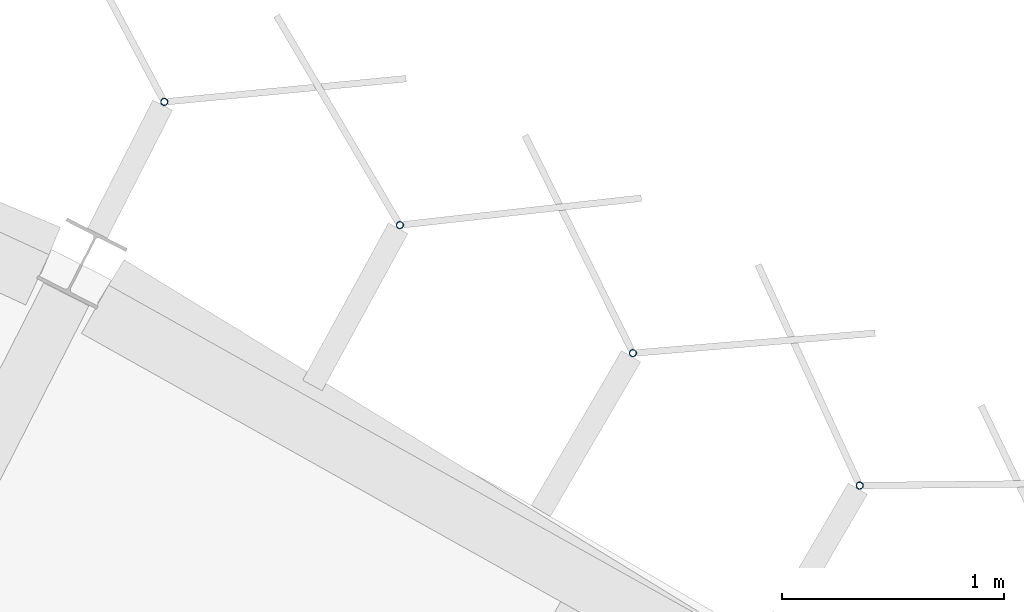
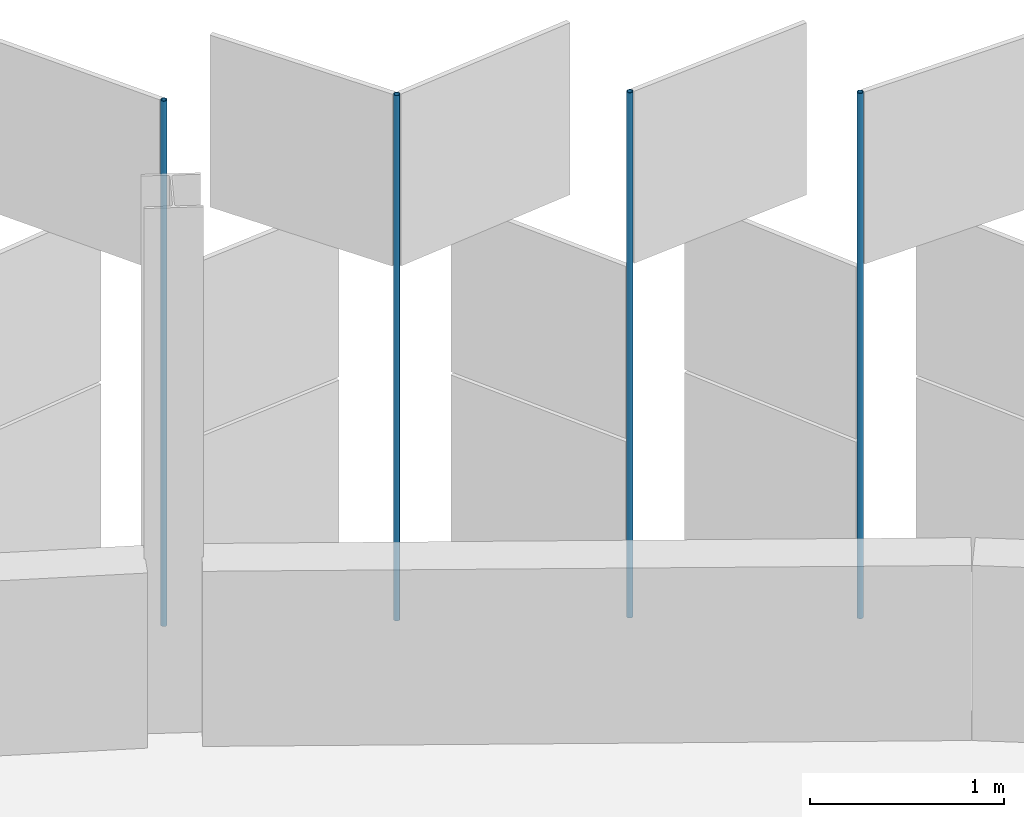
# One storey, part 160 of 198: 4 discrete accessories.
"""IFC4 building model written with IfcOpenShell, lengths in metres."""

from ifc_helpers import new_model, si_unit, direction, frame, origin, origin_2d, place, context, subcontext, project, spatial, hollow_circle, extrude, material, material_profile, profile_set, type_object, element, save


model = new_model("IFC4")

# Units and contexts
model_context = context("Model", 3, precision=1e-05, world=origin(), true_north=direction((0.0, 1.0)))
body_context = subcontext(model_context, "Body", "Model", "MODEL_VIEW")
ifc_project = project(units=[si_unit("LENGTHUNIT", "METRE"), si_unit("AREAUNIT", "SQUARE_METRE"), si_unit("VOLUMEUNIT", "CUBIC_METRE"), si_unit("PLANEANGLEUNIT", "RADIAN"), si_unit("MASSUNIT", "GRAM", prefix="KILO")], contexts=[model_context])

# Site, building, storey
site_placement = place(None, origin())
site = spatial("IfcSite", under=ifc_project, at=site_placement, CompositionType="ELEMENT")
building_placement = place(site_placement, origin())
building = spatial("IfcBuilding", under=site, at=building_placement, Name="Parallax Yard Mobility Hub", CompositionType="ELEMENT")
storey_placement = place(building_placement, frame((0.0, 0.0, 6.60009765625)))
storey = spatial("IfcBuildingStorey", under=building, at=storey_placement, Name="L02", CompositionType="ELEMENT", Elevation=6.60009765625)

# Discrete accessories
ifc_material = material(Name="Steel ASTM A500 Gr C, hot-dip galvanised", Category="steel")
ifc_material_profile = material_profile(ifc_material, hollow_circle(Radius=0.016845703125, WallThickness=0.003173828125, at=origin_2d()), Name="CHS 33.7x3.2")
ifc_profile_set = profile_set([ifc_material_profile], Name="Steel ASTM A500 Gr C, hot-dip galvanised")
discrete_accessory_type = type_object("IfcDiscreteAccessoryType", Name="Hinge post CHS 33.7x3.2", PredefinedType="BRACKET", material=ifc_profile_set)
for number, where, z_axis, x_axis, name in (
    (1, (199.843505859375, 135.7763671875, 0.0), (0.0, 0.0, 1.0), (1.0, 0.0, 0.0), "Hinge post bay 47.5 level L02"),
    (2, (198.8203125, 136.373779296875, 0.0), (0.0, 0.0, 1.0), (1.0, 0.0, 0.0), "Hinge post bay 47.6 level L02"),
    (3, (197.768798828125, 136.951416015625, 0.0), (0.0, 0.0, 1.0), (1.0, 0.0, 0.0), "Hinge post bay 47.7 level L02"),
    (4, (196.705810546875, 137.50732421875, 0.0), (0.0, 0.0, 1.0), (1.0, 0.0, 0.0), "Hinge post bay 48.1 level L02"),
):
    element("IfcDiscreteAccessory", number, at=place(storey_placement, frame(where, z_axis=z_axis, x_axis=x_axis)), inside=storey, type_object=discrete_accessory_type, Name=name, PredefinedType="BRACKET", context=body_context, shape_type="SweptSolid", body=[
        extrude(hollow_circle(Radius=0.016845703125, WallThickness=0.003173828125, at=origin_2d()), origin(), (0.0, 0.0, 1.0), 3.2998046875),
    ])

save(model, "model.ifc")
